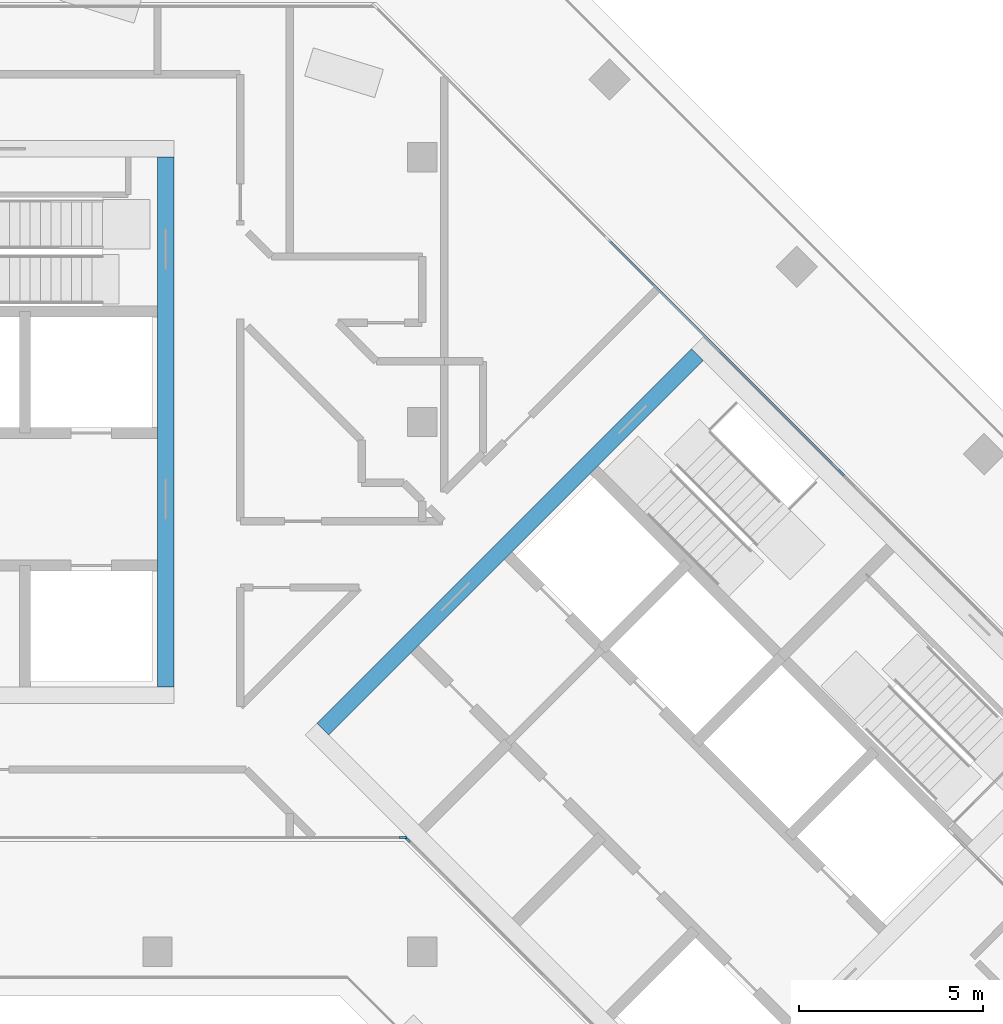
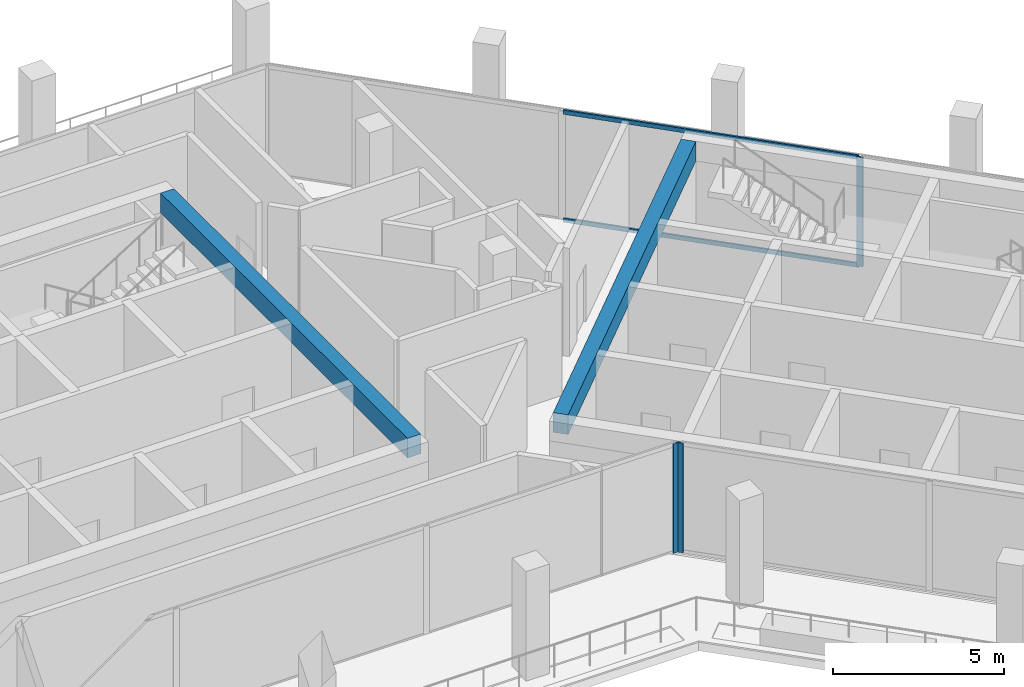
# One storey, part 4 of 20: 5 members, 2 beams, 3 elements without a shape of their own.
"""IFC4 building model written with IfcOpenShell, lengths in metres."""

import ifcopenshell
import ifcopenshell.guid

model = None  # the IFC model being written
_history = None  # IfcOwnerHistory: only IFC2X3 demands one
_inside = {}  # id of a spatial element -> (the spatial element, [elements in it])
_under = {}  # id of a project, library or spatial element -> (it, [spatial elements below it])
_declared = {}  # id of a project -> (the project, [libraries it declares])
_typed = {}  # id of a type object -> (the type object, [elements of that type])
_made_of = {}  # id of a material, layer set ... -> (it, [elements and type objects made of it])


def new_model(schema):
    """Start an empty IFC model of exactly this schema.

    Asked for "IFC4X3", IfcOpenShell would pick the latest addendum, in which some entities
    have other attributes; the version numbers below select the first issue.
    IFC2X3 requires an IfcOwnerHistory on every rooted entity: one is made here for all.
    """
    global model, _history
    if schema == "IFC4X3":
        model = ifcopenshell.file(schema_version=(4, 3, 0, 0))
    else:
        model = ifcopenshell.file(schema=schema)
    _inside.clear()
    _under.clear()
    _declared.clear()
    _typed.clear()
    _made_of.clear()
    _history = None
    if model.schema == "IFC2X3":
        org = make("IfcOrganization", Name="unknown")
        user = make(
            "IfcPersonAndOrganization",
            ThePerson=make("IfcPerson", FamilyName="unknown"),
            TheOrganization=org,
        )
        app = make(
            "IfcApplication",
            ApplicationDeveloper=org,
            Version="unknown",
            ApplicationFullName="unknown",
            ApplicationIdentifier="unknown",
        )
        _history = make(
            "IfcOwnerHistory",
            OwningUser=user,
            OwningApplication=app,
            ChangeAction="ADDED",
            CreationDate=0,
        )
    return model


def make(cls, **values):
    """One entity of the class cls with the attributes given. An attribute that is None is left unset."""
    return model.create_entity(
        cls, **{name: value for name, value in values.items() if value is not None}
    )


def rooted(cls, **values):
    """An entity with a GlobalId (a new one), such as an element, a storey or a relation."""
    return make(cls, GlobalId=ifcopenshell.guid.new(), OwnerHistory=_history, **values)


def si_unit(unit_type, name, prefix=None):
    """IfcSIUnit, for example si_unit("LENGTHUNIT", "METRE", prefix="MILLI")."""
    return make("IfcSIUnit", UnitType=unit_type, Prefix=prefix, Name=name)


def assignment(units):
    """IfcUnitAssignment: the units of a project."""
    return None if units is None else make("IfcUnitAssignment", Units=units)


def point(xyz):
    """IfcCartesianPoint."""
    return None if xyz is None else make("IfcCartesianPoint", Coordinates=xyz)


def direction(xyz):
    """IfcDirection."""
    return None if xyz is None else make("IfcDirection", DirectionRatios=xyz)


def frame(location, z_axis=None, x_axis=None):
    """IfcAxis2Placement3D, a coordinate frame: its origin and axes. An axis left out is left unset."""
    return make(
        "IfcAxis2Placement3D",
        Location=point(location),
        Axis=direction(z_axis),
        RefDirection=direction(x_axis),
    )


def frame_2d(location, x_axis=None):
    """IfcAxis2Placement2D, a coordinate frame in the plane: its origin and x axis."""
    return make(
        "IfcAxis2Placement2D", Location=point(location), RefDirection=direction(x_axis)
    )


def origin():
    """The frame at (0, 0, 0) with its axes left unset."""
    return frame((0.0, 0.0, 0.0))


def origin_2d():
    """The frame at (0, 0) in the plane with its x axis left unset."""
    return frame_2d((0.0, 0.0))


def place(relative_to, where):
    """IfcLocalPlacement: puts the frame where relative to a parent placement (None: the world)."""
    return make(
        "IfcLocalPlacement", PlacementRelTo=relative_to, RelativePlacement=where
    )


def context(
    kind, dimensions, precision=None, world=None, true_north=None, identifier=None
):
    """IfcGeometricRepresentationContext, for example the 3D "Model" context."""
    return make(
        "IfcGeometricRepresentationContext",
        ContextIdentifier=identifier,
        ContextType=kind,
        CoordinateSpaceDimension=dimensions,
        Precision=precision,
        WorldCoordinateSystem=world,
        TrueNorth=true_north,
    )


def subcontext(parent, identifier, kind, view, scale=None):
    """IfcGeometricRepresentationSubContext, for example "Body" below "Model"."""
    return make(
        "IfcGeometricRepresentationSubContext",
        ContextIdentifier=identifier,
        ContextType=kind,
        ParentContext=parent,
        TargetScale=scale,
        TargetView=view,
    )


def project(units=None, contexts=None):
    """IfcProject with its units and contexts."""
    return rooted(
        "IfcProject",
        Name="project",
        RepresentationContexts=contexts,
        UnitsInContext=assignment(units),
    )


def spatial(cls, under=None, at=None, **own):
    """A site, building, storey or space (cls), placed at a placement, below another one or the project."""
    s = rooted(cls, ObjectPlacement=at, **own)
    if under is not None:
        _under.setdefault(under.id(), (under, []))[1].append(s)
    return s


def profile(cls, at=None, kind="AREA", **sizes):
    """A parametric profile (cls). Its sizes go by their IFC names, for example OverallWidth=200.0."""
    return make(cls, ProfileType=kind, Position=at, **sizes)


def rectangle(**sizes):
    """IfcRectangleProfileDef."""
    return profile("IfcRectangleProfileDef", **sizes)


def extrude(swept, where, along, depth):
    """IfcExtrudedAreaSolid: the profile swept, set in the frame where, extruded along a direction by depth."""
    return make(
        "IfcExtrudedAreaSolid",
        SweptArea=swept,
        Position=where,
        ExtrudedDirection=direction(along),
        Depth=depth,
    )


def shape(context_of_items, identifier, shape_type, items):
    """IfcShapeRepresentation: the items that make up one representation, for example the "Body"."""
    return make(
        "IfcShapeRepresentation",
        ContextOfItems=context_of_items,
        RepresentationIdentifier=identifier,
        RepresentationType=shape_type,
        Items=items,
    )


def material(Name=None, Category=None):
    """IfcMaterial."""
    return make("IfcMaterial", Name=Name, Category=Category)


def material_profile(
    of_material, cross_section, Name=None, Category=None, Priority=None
):
    """IfcMaterialProfile: a cross section and its material."""
    return make(
        "IfcMaterialProfile",
        Name=Name,
        Material=of_material,
        Profile=cross_section,
        Priority=Priority,
        Category=Category,
    )


def profile_set(profiles, Name=None, composite=None):
    """IfcMaterialProfileSet."""
    return make(
        "IfcMaterialProfileSet",
        Name=Name,
        MaterialProfiles=profiles,
        CompositeProfile=composite,
    )


def made_of(thing, what):
    """Note that an element or type object is made of a material, layer set ...; save() writes the relation."""
    if what is not None:
        _made_of.setdefault(what.id(), (what, []))[1].append(thing)
    return thing


def type_object(cls, material=None, **own):
    """A type object (cls), such as IfcWallType, which elements share."""
    return made_of(rooted(cls, **own), material)


def element(
    cls,
    number,
    at=None,
    inside=None,
    cuts=None,
    type_object=None,
    material=None,
    context=None,
    identifier="Body",
    shape_type=None,
    held_by="IfcProductDefinitionShape",
    body=None,
    shapes=None,
    **own,
):
    """One element of the class cls, such as IfcWall. Its Tag is "e" and its number.

    at: its placement. inside: the storey or other place that contains it. cuts: it is an
    opening in that element (IfcRelVoidsElement). A single representation is given by context,
    identifier, shape_type and body (its items); several are given by shapes. held_by: the class
    of the entity that holds the representations. save() writes the other relations.
    """
    e = rooted(cls, Tag="e%d" % number, ObjectPlacement=at, **own)
    if body is not None:
        shapes = [shape(context, identifier, shape_type, body)]
    if shapes is not None:
        e.Representation = make(held_by, Representations=shapes)
    if inside is not None:
        _inside.setdefault(inside.id(), (inside, []))[1].append(e)
    if cuts is not None:
        rooted(
            "IfcRelVoidsElement", RelatingBuildingElement=cuts, RelatedOpeningElement=e
        )
    if type_object is not None:
        _typed.setdefault(type_object.id(), (type_object, []))[1].append(e)
    return made_of(e, material)


def aggregate(whole, parts):
    """IfcRelAggregates: a whole, such as a stair, and the parts it consists of."""
    return rooted("IfcRelAggregates", RelatingObject=whole, RelatedObjects=parts)


def save(model, path):
    """Write the relations noted so far, then the file.

    IfcRelAggregates (storeys below a building ...), IfcRelContainedInSpatialStructure (elements
    in a storey), IfcRelDefinesByType, IfcRelAssociatesMaterial and IfcRelDeclares: one each for
    every whole, place, type object, material and project.
    """
    for whole, parts in _under.values():
        aggregate(whole, parts)
    for where, things in _inside.values():
        rooted(
            "IfcRelContainedInSpatialStructure",
            RelatedElements=things,
            RelatingStructure=where,
        )
    for kind, things in _typed.values():
        rooted("IfcRelDefinesByType", RelatedObjects=things, RelatingType=kind)
    for what, things in _made_of.values():
        rooted("IfcRelAssociatesMaterial", RelatedObjects=things, RelatingMaterial=what)
    for by, libraries in _declared.values():
        rooted("IfcRelDeclares", RelatingContext=by, RelatedDefinitions=libraries)
    model.write(path)


model = new_model("IFC4")

# Units and contexts
model_context = context("Model", 3, precision=1e-05, world=origin(), true_north=direction((0.0, 1.0)))
body_context = subcontext(model_context, "Body", "Model", "MODEL_VIEW")
ifc_project = project(units=[si_unit("LENGTHUNIT", "METRE"), si_unit("AREAUNIT", "SQUARE_METRE"), si_unit("VOLUMEUNIT", "CUBIC_METRE"), si_unit("PLANEANGLEUNIT", "RADIAN"), si_unit("MASSUNIT", "GRAM", prefix="KILO")], contexts=[model_context])

# Site, building, storey
site_placement = place(None, origin())
site = spatial("IfcSite", under=ifc_project, at=site_placement, CompositionType="ELEMENT")
building_placement = place(site_placement, origin())
building = spatial("IfcBuilding", under=site, at=building_placement, Name="Windrow Commons", CompositionType="ELEMENT")
storey_placement = place(building_placement, frame((0.0, 0.0, 239.6)))
storey = spatial("IfcBuildingStorey", under=building, at=storey_placement, Name="L65", CompositionType="ELEMENT", Elevation=239.6)

# Curtain wall, member
ifc_material_1 = material(Name="Clear laminated glass in Aluminium 6063-T6 anodised frame", Category="aluminium")
curtain_wall_type = type_object("IfcCurtainWallType", Name="Curtain wall CW2H sky lounge upper", PredefinedType="USERDEFINED", material=ifc_material_1)
placement = place(storey_placement, origin())
curtain_wall_1 = element("IfcCurtainWall", 1, at=placement, inside=storey, type_object=curtain_wall_type, Name="Curtain wall CW2H L65 3", ObjectType="UNITISED", PredefinedType="USERDEFINED")
ifc_material_2 = material(Name="Aluminium 6063-T6", Category="aluminium")
ifc_material_profile_1 = material_profile(ifc_material_2, rectangle(XDim=0.06, YDim=0.2, at=origin_2d()))
ifc_profile_set_1 = profile_set([ifc_material_profile_1], Name="Aluminium 6063-T6")
member_type_1 = type_object("IfcMemberType", Name="CW2H mullion 60x200", PredefinedType="MULLION", material=ifc_profile_set_1)
member_1_placement = place(storey_placement, frame((90.5945, 56.2215, 0.0), z_axis=(0.0, 0.0, 1.0), x_axis=(-0.7071067812, -0.7071067812, 0.0)))
member_1 = element("IfcMember", 2, at=member_1_placement, type_object=member_type_1, Name="CW2H mullion 2", PredefinedType="MULLION", context=body_context, shape_type="SweptSolid", body=[
    extrude(rectangle(XDim=0.06, YDim=0.2, at=origin_2d()), origin(), (0.0, 0.0, 1.0), 3.9),
])

curtain_wall_2 = element("IfcCurtainWall", 3, at=placement, inside=storey, type_object=curtain_wall_type, Name="Curtain wall CW2H L65 12", ObjectType="UNITISED", PredefinedType="USERDEFINED")
member_2_placement = place(storey_placement, frame((78.6656, 46.3, 0.0), z_axis=(0.0, 0.0, 1.0), x_axis=(0.0, 1.0, 0.0)))
member_2 = element("IfcMember", 4, at=member_2_placement, type_object=member_type_1, Name="CW2H mullion 4", PredefinedType="MULLION", context=body_context, shape_type="SweptSolid", body=[
    extrude(rectangle(XDim=0.06, YDim=0.2, at=origin_2d()), origin(), (0.0, 0.0, 1.0), 3.9),
])
aggregate(curtain_wall_2, [member_2])

curtain_wall_3 = element("IfcCurtainWall", 5, at=placement, inside=storey, type_object=curtain_wall_type, Name="Curtain wall CW2H L65 13", ObjectType="UNITISED", PredefinedType="USERDEFINED")
member_3_placement = place(storey_placement, frame((78.7875, 46.2495, 0.0), z_axis=(0.0, 0.0, 1.0), x_axis=(0.7071067812, 0.7071067812, 0.0)))
member_3 = element("IfcMember", 6, at=member_3_placement, type_object=member_type_1, Name="CW2H mullion 1", PredefinedType="MULLION", context=body_context, shape_type="SweptSolid", body=[
    extrude(rectangle(XDim=0.06, YDim=0.2, at=origin_2d()), origin(), (0.0, 0.0, 1.0), 3.9),
])
aggregate(curtain_wall_3, [member_3])

# Member
ifc_material_3 = material(Name="Aluminium 6063-T6", Category="aluminium")
ifc_material_profile_2 = material_profile(ifc_material_3, rectangle(XDim=0.06, YDim=0.15, at=origin_2d()))
ifc_profile_set_2 = profile_set([ifc_material_profile_2], Name="Aluminium 6063-T6")
member_type_2 = type_object("IfcMemberType", Name="CW2H transom 60x150", PredefinedType="USERDEFINED", material=ifc_profile_set_2)
member_4_placement = place(storey_placement, frame((90.5733, 56.2427, 0.03), z_axis=(-0.7071067812, 0.7071067812, 0.0), x_axis=(-0.7071067812, -0.7071067812, 0.0)))
member_4 = element("IfcMember", 7, at=member_4_placement, type_object=member_type_2, Name="CW2H transom 2.1", ObjectType="TRANSOM", PredefinedType="USERDEFINED", context=body_context, shape_type="SweptSolid", body=[
    extrude(rectangle(XDim=0.06, YDim=0.15, at=origin_2d()), origin(), (0.0, 0.0, 1.0), 8.9258),
])

member_5_placement = place(storey_placement, frame((90.5733, 56.2427, 3.87), z_axis=(-0.7071067812, 0.7071067812, 0.0), x_axis=(-0.7071067812, -0.7071067812, 0.0)))
member_5 = element("IfcMember", 8, at=member_5_placement, type_object=member_type_2, Name="CW2H transom 2.2", ObjectType="TRANSOM", PredefinedType="USERDEFINED", context=body_context, shape_type="SweptSolid", body=[
    extrude(rectangle(XDim=0.06, YDim=0.15, at=origin_2d()), origin(), (0.0, 0.0, 1.0), 8.9258),
])

aggregate(curtain_wall_1, [member_1, member_4, member_5])

# Beams
ifc_material_4 = material(Name="Concrete C40/50", Category="concrete")
ifc_material_profile_3 = material_profile(ifc_material_4, rectangle(XDim=0.45, YDim=0.7, at=origin_2d()))
ifc_profile_set_3 = profile_set([ifc_material_profile_3], Name="Concrete C40/50")
beam_type = type_object("IfcBeamType", Name="RC COUPLING BEAM 450x700 C40/50", PredefinedType="LINTEL", material=ifc_profile_set_3)
beam_1_placement = place(storey_placement, frame((72.225, 50.4, 3.55), z_axis=(0.0, 1.0, 0.0), x_axis=(-1.0, 0.0, 0.0)))
element("IfcBeam", 9, at=beam_1_placement, inside=storey, type_object=beam_type, Name="Core A coupling beam outer-E", PredefinedType="LINTEL", context=body_context, shape_type="SweptSolid", body=[
    extrude(rectangle(XDim=0.45, YDim=0.7, at=origin_2d()), origin(), (0.0, 0.0, 1.0), 14.4),
])
beam_2_placement = place(storey_placement, frame((76.4953, 49.2488, 3.55), z_axis=(0.7071067812, 0.7071067812, 0.0), x_axis=(-0.7071067812, 0.7071067812, 0.0)))
element("IfcBeam", 10, at=beam_2_placement, inside=storey, type_object=beam_type, Name="Core B coupling beam outer-W", PredefinedType="LINTEL", context=body_context, shape_type="SweptSolid", body=[
    extrude(rectangle(XDim=0.45, YDim=0.7, at=origin_2d()), origin(), (0.0, 0.0, 1.0), 14.4001),
])

save(model, "model.ifc")
